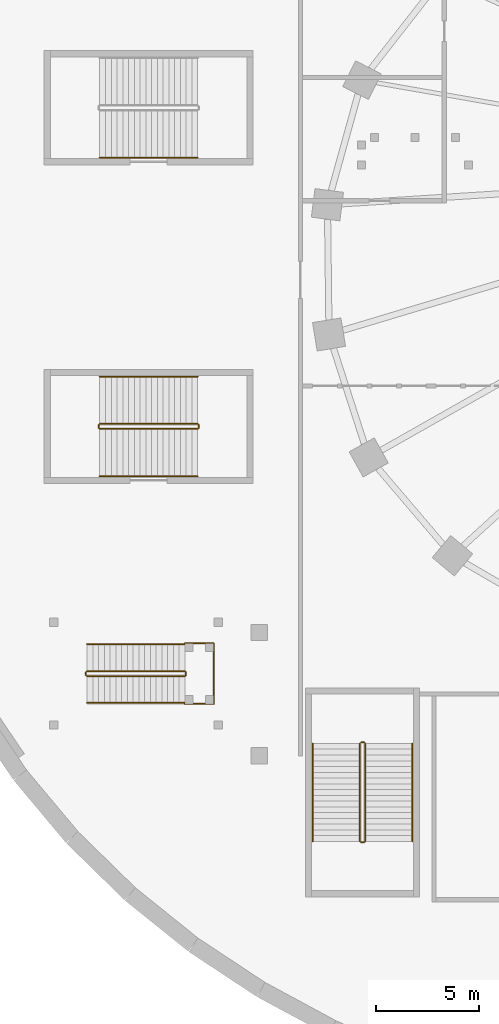
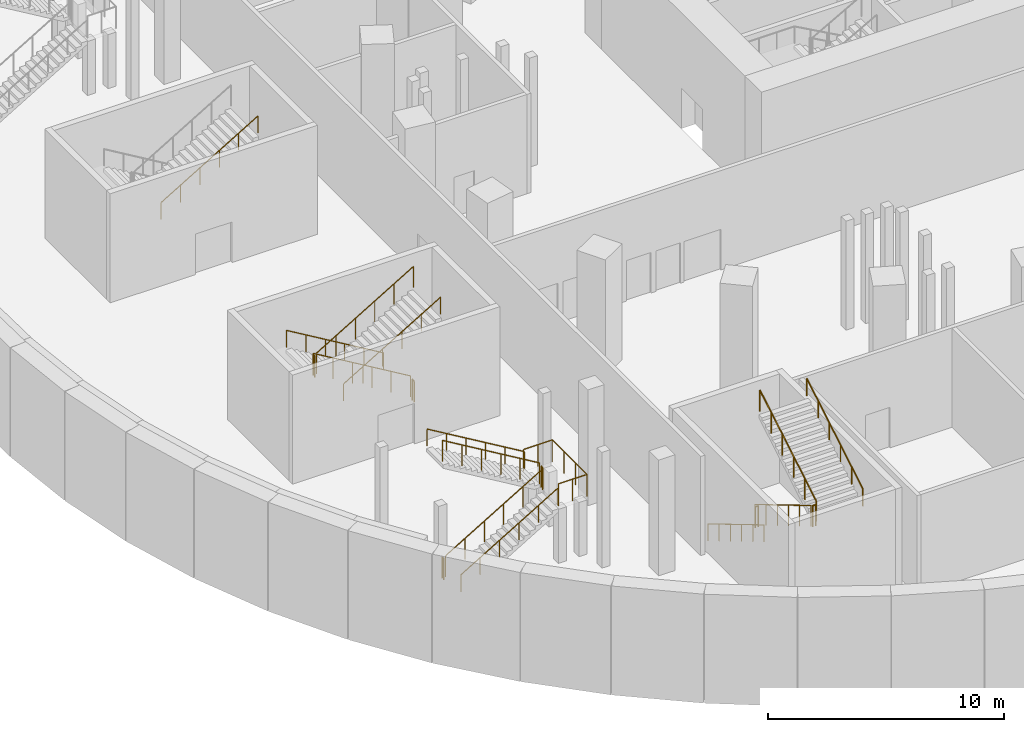
# One storey, part 12 of 19: 20 railings.
"""IFC4 building model written with IfcOpenShell, lengths in metres."""

from ifc_helpers import new_model, si_unit, direction, frame, origin, origin_2d, place, context, subcontext, project, spatial, circle, extrude, material, type_object, element, save


model = new_model("IFC4")

# Units and contexts
model_context = context("Model", 3, precision=1e-05, world=origin(), true_north=direction((0.0, 1.0)))
body_context = subcontext(model_context, "Body", "Model", "MODEL_VIEW")
ifc_project = project(units=[si_unit("LENGTHUNIT", "METRE"), si_unit("AREAUNIT", "SQUARE_METRE"), si_unit("VOLUMEUNIT", "CUBIC_METRE"), si_unit("PLANEANGLEUNIT", "RADIAN"), si_unit("MASSUNIT", "GRAM", prefix="KILO")], contexts=[model_context])

# Site, building, storey
site_placement = place(None, origin())
site = spatial("IfcSite", under=ifc_project, at=site_placement, CompositionType="ELEMENT")
building_placement = place(site_placement, origin())
building = spatial("IfcBuilding", under=site, at=building_placement, Name="Rubra Terraces Tower", CompositionType="ELEMENT")
storey_placement = place(building_placement, frame((0.0, 0.0, -6.0)))
storey = spatial("IfcBuildingStorey", under=building, at=storey_placement, Name="B1", CompositionType="ELEMENT", Elevation=-6.0)

# Railings
ifc_material_1 = material(Name="Stainless steel", Category="steel")
railing_type_1 = type_object("IfcRailingType", Name="Public stair guard 1100", PredefinedType="GUARDRAIL", material=ifc_material_1)
railing_1_placement = place(storey_placement, frame((-33.0, -7.85009765625, 0.166748046875)))
element("IfcRailing", 1, at=railing_1_placement, inside=storey, type_object=railing_type_1, Name="B1 SE4 stair guard 1", PredefinedType="GUARDRAIL", context=body_context, shape_type="SweptSolid", body=[
    extrude(circle(Radius=0.02392578125, at=origin_2d()), frame((0.0, 0.0, 1.076171875), z_axis=(-0.859299802514, 0.0, 0.511472237174), x_axis=(0.0, -1.0, 0.0)), (0.0, 0.0, 1.0), 5.539306640625),
    extrude(circle(Radius=0.02099609375, at=origin_2d()), origin(), (0.0, 0.0, 1.0), 1.052001953125),
    extrude(circle(Radius=0.02099609375, at=origin_2d()), frame((-0.951904296875, 0.0, 0.566650390625)), (0.0, 0.0, 1.0), 1.052001953125),
    extrude(circle(Radius=0.02099609375, at=origin_2d()), frame((-1.904052734375, 0.0, 1.13330078125)), (0.0, 0.0, 1.0), 1.052001953125),
    extrude(circle(Radius=0.02099609375, at=origin_2d()), frame((-2.85595703125, 0.0, 1.699951171875)), (0.0, 0.0, 1.0), 1.052001953125),
    extrude(circle(Radius=0.02099609375, at=origin_2d()), frame((-3.80810546875, 0.0, 2.2666015625)), (0.0, 0.0, 1.0), 1.052001953125),
    extrude(circle(Radius=0.02099609375, at=origin_2d()), frame((-4.760009765625, 0.0, 2.833251953125)), (0.0, 0.0, 1.0), 1.052001953125),
])
railing_2_placement = place(storey_placement, frame((-37.81005859375, -7.89990234375, 3.0)))
element("IfcRailing", 2, at=railing_2_placement, inside=storey, type_object=railing_type_1, Name="B1 SE4 stair guard 2", PredefinedType="GUARDRAIL", context=body_context, shape_type="SweptSolid", body=[
    extrude(circle(Radius=0.02392578125, at=origin_2d()), frame((0.0, 0.0, 1.076171875), z_axis=(0.0, -1.0, 0.0), x_axis=(1.0, 0.0, 0.0)), (0.0, 0.0, 1.0), 0.150146484375),
    extrude(circle(Radius=0.02099609375, at=origin_2d()), origin(), (0.0, 0.0, 1.0), 1.052001953125),
    extrude(circle(Radius=0.02099609375, at=origin_2d()), frame((0.0, -0.150146484375, 0.0)), (0.0, 0.0, 1.0), 1.052001953125),
])
railing_3_placement = place(storey_placement, frame((-37.760009765625, -8.10009765625, 3.166748046875)))
element("IfcRailing", 3, at=railing_3_placement, inside=storey, type_object=railing_type_1, Name="B1 SE4 stair guard 3", PredefinedType="GUARDRAIL", context=body_context, shape_type="SweptSolid", body=[
    extrude(circle(Radius=0.02392578125, at=origin_2d()), frame((0.0, 0.0, 1.076171875), z_axis=(0.859299802514, 0.0, 0.511472237174), x_axis=(0.0, 1.0, 0.0)), (0.0, 0.0, 1.0), 5.539306640625),
    extrude(circle(Radius=0.02099609375, at=origin_2d()), origin(), (0.0, 0.0, 1.0), 1.052001953125),
    extrude(circle(Radius=0.02099609375, at=origin_2d()), frame((0.951904296875, 0.0, 0.566650390625)), (0.0, 0.0, 1.0), 1.052001953125),
    extrude(circle(Radius=0.02099609375, at=origin_2d()), frame((1.904052734375, 0.0, 1.13330078125)), (0.0, 0.0, 1.0), 1.052001953125),
    extrude(circle(Radius=0.02099609375, at=origin_2d()), frame((2.85595703125, 0.0, 1.699951171875)), (0.0, 0.0, 1.0), 1.052001953125),
    extrude(circle(Radius=0.02099609375, at=origin_2d()), frame((3.80810546875, 0.0, 2.2666015625)), (0.0, 0.0, 1.0), 1.052001953125),
    extrude(circle(Radius=0.02099609375, at=origin_2d()), frame((4.760009765625, 0.0, 2.833251953125)), (0.0, 0.0, 1.0), 1.052001953125),
])
railing_4_placement = place(storey_placement, frame((-32.949951171875, -7.89990234375, 0.0)))
element("IfcRailing", 4, at=railing_4_placement, inside=storey, type_object=railing_type_1, Name="B1 SE4 stair guard 4", PredefinedType="GUARDRAIL", context=body_context, shape_type="SweptSolid", body=[
    extrude(circle(Radius=0.02392578125, at=origin_2d()), frame((0.0, 0.0, 1.076171875), z_axis=(0.0, -1.0, 0.0), x_axis=(1.0, 0.0, 0.0)), (0.0, 0.0, 1.0), 0.150146484375),
    extrude(circle(Radius=0.02099609375, at=origin_2d()), origin(), (0.0, 0.0, 1.0), 1.052001953125),
    extrude(circle(Radius=0.02099609375, at=origin_2d()), frame((0.0, -0.150146484375, 0.0)), (0.0, 0.0, 1.0), 1.052001953125),
])
railing_5_placement = place(storey_placement, frame((-25.10009765625, -23.39990234375, 0.166748046875)))
element("IfcRailing", 5, at=railing_5_placement, inside=storey, type_object=railing_type_1, Name="B1 SE8 stair guard 1", PredefinedType="GUARDRAIL", context=body_context, shape_type="SweptSolid", body=[
    extrude(circle(Radius=0.02392578125, at=origin_2d()), frame((0.0, 0.0, 1.076171875), z_axis=(0.0, -0.859299802514, 0.511472237174), x_axis=(1.0, 0.0, 0.0)), (0.0, 0.0, 1.0), 5.539306640625),
    extrude(circle(Radius=0.02099609375, at=origin_2d()), origin(), (0.0, 0.0, 1.0), 1.052001953125),
    extrude(circle(Radius=0.02099609375, at=origin_2d()), frame((0.0, -0.951904296875, 0.566650390625)), (0.0, 0.0, 1.0), 1.052001953125),
    extrude(circle(Radius=0.02099609375, at=origin_2d()), frame((0.0, -1.904052734375, 1.13330078125)), (0.0, 0.0, 1.0), 1.052001953125),
    extrude(circle(Radius=0.02099609375, at=origin_2d()), frame((0.0, -2.85595703125, 1.699951171875)), (0.0, 0.0, 1.0), 1.052001953125),
    extrude(circle(Radius=0.02099609375, at=origin_2d()), frame((0.0, -3.80810546875, 2.2666015625)), (0.0, 0.0, 1.0), 1.052001953125),
    extrude(circle(Radius=0.02099609375, at=origin_2d()), frame((0.0, -4.760009765625, 2.833251953125)), (0.0, 0.0, 1.0), 1.052001953125),
])
railing_6_placement = place(storey_placement, frame((-25.050048828125, -28.2099609375, 3.0)))
element("IfcRailing", 6, at=railing_6_placement, inside=storey, type_object=railing_type_1, Name="B1 SE8 stair guard 2", PredefinedType="GUARDRAIL", context=body_context, shape_type="SweptSolid", body=[
    extrude(circle(Radius=0.02392578125, at=origin_2d()), frame((0.0, 0.0, 1.076171875), z_axis=(1.0, 0.0, 0.0), x_axis=(0.0, 1.0, 0.0)), (0.0, 0.0, 1.0), 0.150146484375),
    extrude(circle(Radius=0.02099609375, at=origin_2d()), origin(), (0.0, 0.0, 1.0), 1.052001953125),
    extrude(circle(Radius=0.02099609375, at=origin_2d()), frame((0.150146484375, 0.0, 0.0)), (0.0, 0.0, 1.0), 1.052001953125),
])
railing_7_placement = place(storey_placement, frame((-24.85009765625, -28.159912109375, 3.166748046875)))
element("IfcRailing", 7, at=railing_7_placement, inside=storey, type_object=railing_type_1, Name="B1 SE8 stair guard 3", PredefinedType="GUARDRAIL", context=body_context, shape_type="SweptSolid", body=[
    extrude(circle(Radius=0.02392578125, at=origin_2d()), frame((0.0, 0.0, 1.076171875), z_axis=(0.0, 0.859299802514, 0.511472237174), x_axis=(-1.0, 0.0, 0.0)), (0.0, 0.0, 1.0), 5.539306640625),
    extrude(circle(Radius=0.02099609375, at=origin_2d()), origin(), (0.0, 0.0, 1.0), 1.052001953125),
    extrude(circle(Radius=0.02099609375, at=origin_2d()), frame((0.0, 0.951904296875, 0.566650390625)), (0.0, 0.0, 1.0), 1.052001953125),
    extrude(circle(Radius=0.02099609375, at=origin_2d()), frame((0.0, 1.904052734375, 1.13330078125)), (0.0, 0.0, 1.0), 1.052001953125),
    extrude(circle(Radius=0.02099609375, at=origin_2d()), frame((0.0, 2.85595703125, 1.699951171875)), (0.0, 0.0, 1.0), 1.052001953125),
    extrude(circle(Radius=0.02099609375, at=origin_2d()), frame((0.0, 3.80810546875, 2.2666015625)), (0.0, 0.0, 1.0), 1.052001953125),
    extrude(circle(Radius=0.02099609375, at=origin_2d()), frame((0.0, 4.760009765625, 2.833251953125)), (0.0, 0.0, 1.0), 1.052001953125),
])
railing_8_placement = place(storey_placement, frame((-25.050048828125, -23.35009765625, 0.0)))
element("IfcRailing", 8, at=railing_8_placement, inside=storey, type_object=railing_type_1, Name="B1 SE8 stair guard 4", PredefinedType="GUARDRAIL", context=body_context, shape_type="SweptSolid", body=[
    extrude(circle(Radius=0.02392578125, at=origin_2d()), frame((0.0, 0.0, 1.076171875), z_axis=(1.0, 0.0, 0.0), x_axis=(0.0, 1.0, 0.0)), (0.0, 0.0, 1.0), 0.150146484375),
    extrude(circle(Radius=0.02099609375, at=origin_2d()), origin(), (0.0, 0.0, 1.0), 1.052001953125),
    extrude(circle(Radius=0.02099609375, at=origin_2d()), frame((0.150146484375, 0.0, 0.0)), (0.0, 0.0, 1.0), 1.052001953125),
])
railing_type_2 = type_object("IfcRailingType", Name="Public stair handrail 900", PredefinedType="HANDRAIL", material=ifc_material_1)
railing_9_placement = place(storey_placement, frame((-37.760009765625, 5.10009765625, 3.166748046875)))
element("IfcRailing", 9, at=railing_9_placement, inside=storey, type_object=railing_type_2, Name="B1 SE3 stair handrail 2", PredefinedType="HANDRAIL", context=body_context, shape_type="SweptSolid", body=[
    extrude(circle(Radius=0.02392578125, at=origin_2d()), frame((0.0, 0.0, 0.8759765625), z_axis=(0.859299802514, 0.0, 0.511472237174), x_axis=(0.0, 1.0, 0.0)), (0.0, 0.0, 1.0), 5.539306640625),
    extrude(circle(Radius=0.02099609375, at=origin_2d()), origin(), (0.0, 0.0, 1.0), 0.851806640625),
    extrude(circle(Radius=0.02099609375, at=origin_2d()), frame((0.951904296875, 0.0, 0.566650390625)), (0.0, 0.0, 1.0), 0.851806640625),
    extrude(circle(Radius=0.02099609375, at=origin_2d()), frame((1.904052734375, 0.0, 1.13330078125)), (0.0, 0.0, 1.0), 0.851806640625),
    extrude(circle(Radius=0.02099609375, at=origin_2d()), frame((2.85595703125, 0.0, 1.699951171875)), (0.0, 0.0, 1.0), 0.851806640625),
    extrude(circle(Radius=0.02099609375, at=origin_2d()), frame((3.80810546875, 0.0, 2.2666015625)), (0.0, 0.0, 1.0), 0.851806640625),
    extrude(circle(Radius=0.02099609375, at=origin_2d()), frame((4.760009765625, 0.0, 2.833251953125)), (0.0, 0.0, 1.0), 0.851806640625),
])
railing_10_placement = place(storey_placement, frame((-33.0, -5.550048828125, 0.166748046875)))
element("IfcRailing", 10, at=railing_10_placement, inside=storey, type_object=railing_type_2, Name="B1 SE4 stair handrail 1", PredefinedType="HANDRAIL", context=body_context, shape_type="SweptSolid", body=[
    extrude(circle(Radius=0.02392578125, at=origin_2d()), frame((0.0, 0.0, 0.8759765625), z_axis=(-0.859299802514, 0.0, 0.511472237174), x_axis=(0.0, -1.0, 0.0)), (0.0, 0.0, 1.0), 5.539306640625),
    extrude(circle(Radius=0.02099609375, at=origin_2d()), origin(), (0.0, 0.0, 1.0), 0.851806640625),
    extrude(circle(Radius=0.02099609375, at=origin_2d()), frame((-0.951904296875, 0.0, 0.566650390625)), (0.0, 0.0, 1.0), 0.851806640625),
    extrude(circle(Radius=0.02099609375, at=origin_2d()), frame((-1.904052734375, 0.0, 1.13330078125)), (0.0, 0.0, 1.0), 0.851806640625),
    extrude(circle(Radius=0.02099609375, at=origin_2d()), frame((-2.85595703125, 0.0, 1.699951171875)), (0.0, 0.0, 1.0), 0.851806640625),
    extrude(circle(Radius=0.02099609375, at=origin_2d()), frame((-3.80810546875, 0.0, 2.2666015625)), (0.0, 0.0, 1.0), 0.851806640625),
    extrude(circle(Radius=0.02099609375, at=origin_2d()), frame((-4.760009765625, 0.0, 2.833251953125)), (0.0, 0.0, 1.0), 0.851806640625),
])
railing_11_placement = place(storey_placement, frame((-37.760009765625, -10.39990234375, 3.166748046875)))
element("IfcRailing", 11, at=railing_11_placement, inside=storey, type_object=railing_type_2, Name="B1 SE4 stair handrail 2", PredefinedType="HANDRAIL", context=body_context, shape_type="SweptSolid", body=[
    extrude(circle(Radius=0.02392578125, at=origin_2d()), frame((0.0, 0.0, 0.8759765625), z_axis=(0.859299802514, 0.0, 0.511472237174), x_axis=(0.0, 1.0, 0.0)), (0.0, 0.0, 1.0), 5.539306640625),
    extrude(circle(Radius=0.02099609375, at=origin_2d()), origin(), (0.0, 0.0, 1.0), 0.851806640625),
    extrude(circle(Radius=0.02099609375, at=origin_2d()), frame((0.951904296875, 0.0, 0.566650390625)), (0.0, 0.0, 1.0), 0.851806640625),
    extrude(circle(Radius=0.02099609375, at=origin_2d()), frame((1.904052734375, 0.0, 1.13330078125)), (0.0, 0.0, 1.0), 0.851806640625),
    extrude(circle(Radius=0.02099609375, at=origin_2d()), frame((2.85595703125, 0.0, 1.699951171875)), (0.0, 0.0, 1.0), 0.851806640625),
    extrude(circle(Radius=0.02099609375, at=origin_2d()), frame((3.80810546875, 0.0, 2.2666015625)), (0.0, 0.0, 1.0), 0.851806640625),
    extrude(circle(Radius=0.02099609375, at=origin_2d()), frame((4.760009765625, 0.0, 2.833251953125)), (0.0, 0.0, 1.0), 0.851806640625),
])
railing_12_placement = place(storey_placement, frame((-27.39990234375, -23.39990234375, 0.166748046875)))
element("IfcRailing", 12, at=railing_12_placement, inside=storey, type_object=railing_type_2, Name="B1 SE8 stair handrail 1", PredefinedType="HANDRAIL", context=body_context, shape_type="SweptSolid", body=[
    extrude(circle(Radius=0.02392578125, at=origin_2d()), frame((0.0, 0.0, 0.8759765625), z_axis=(0.0, -0.859299802514, 0.511472237174), x_axis=(1.0, 0.0, 0.0)), (0.0, 0.0, 1.0), 5.539306640625),
    extrude(circle(Radius=0.02099609375, at=origin_2d()), origin(), (0.0, 0.0, 1.0), 0.851806640625),
    extrude(circle(Radius=0.02099609375, at=origin_2d()), frame((0.0, -0.951904296875, 0.566650390625)), (0.0, 0.0, 1.0), 0.851806640625),
    extrude(circle(Radius=0.02099609375, at=origin_2d()), frame((0.0, -1.904052734375, 1.13330078125)), (0.0, 0.0, 1.0), 0.851806640625),
    extrude(circle(Radius=0.02099609375, at=origin_2d()), frame((0.0, -2.85595703125, 1.699951171875)), (0.0, 0.0, 1.0), 0.851806640625),
    extrude(circle(Radius=0.02099609375, at=origin_2d()), frame((0.0, -3.80810546875, 2.2666015625)), (0.0, 0.0, 1.0), 0.851806640625),
    extrude(circle(Radius=0.02099609375, at=origin_2d()), frame((0.0, -4.760009765625, 2.833251953125)), (0.0, 0.0, 1.0), 0.851806640625),
])
railing_13_placement = place(storey_placement, frame((-22.550048828125, -28.159912109375, 3.166748046875)))
element("IfcRailing", 13, at=railing_13_placement, inside=storey, type_object=railing_type_2, Name="B1 SE8 stair handrail 2", PredefinedType="HANDRAIL", context=body_context, shape_type="SweptSolid", body=[
    extrude(circle(Radius=0.02392578125, at=origin_2d()), frame((0.0, 0.0, 0.8759765625), z_axis=(0.0, 0.859299802514, 0.511472237174), x_axis=(-1.0, 0.0, 0.0)), (0.0, 0.0, 1.0), 5.539306640625),
    extrude(circle(Radius=0.02099609375, at=origin_2d()), origin(), (0.0, 0.0, 1.0), 0.851806640625),
    extrude(circle(Radius=0.02099609375, at=origin_2d()), frame((0.0, 0.951904296875, 0.566650390625)), (0.0, 0.0, 1.0), 0.851806640625),
    extrude(circle(Radius=0.02099609375, at=origin_2d()), frame((0.0, 1.904052734375, 1.13330078125)), (0.0, 0.0, 1.0), 0.851806640625),
    extrude(circle(Radius=0.02099609375, at=origin_2d()), frame((0.0, 2.85595703125, 1.699951171875)), (0.0, 0.0, 1.0), 0.851806640625),
    extrude(circle(Radius=0.02099609375, at=origin_2d()), frame((0.0, 3.80810546875, 2.2666015625)), (0.0, 0.0, 1.0), 0.851806640625),
    extrude(circle(Radius=0.02099609375, at=origin_2d()), frame((0.0, 4.760009765625, 2.833251953125)), (0.0, 0.0, 1.0), 0.851806640625),
])
ifc_material_2 = material(Name="Steel, powder-coated dark grey", Category="steel")
railing_type_3 = type_object("IfcRailingType", Name="Station stair guard 1100", PredefinedType="GUARDRAIL", material=ifc_material_2)
railing_14_placement = place(storey_placement, frame((-38.3798828125, -20.125, 0.166748046875)))
element("IfcRailing", 14, at=railing_14_placement, inside=storey, type_object=railing_type_3, Name="B1 SP3-S stair guard 1", PredefinedType="GUARDRAIL", context=body_context, shape_type="SweptSolid", body=[
    extrude(circle(Radius=0.02392578125, at=origin_2d()), frame((0.0, 0.0, 1.076171875), z_axis=(0.859288272078, 0.0, 0.511491608405), x_axis=(0.0, 1.0, 0.0)), (0.0, 0.0, 1.0), 5.539306640625),
    extrude(circle(Radius=0.02099609375, at=origin_2d()), origin(), (0.0, 0.0, 1.0), 1.052001953125),
    extrude(circle(Radius=0.02099609375, at=origin_2d()), frame((0.951904296875, 0.0, 0.566650390625)), (0.0, 0.0, 1.0), 1.052001953125),
    extrude(circle(Radius=0.02099609375, at=origin_2d()), frame((1.90380859375, 0.0, 1.13330078125)), (0.0, 0.0, 1.0), 1.052001953125),
    extrude(circle(Radius=0.02099609375, at=origin_2d()), frame((2.85595703125, 0.0, 1.699951171875)), (0.0, 0.0, 1.0), 1.052001953125),
    extrude(circle(Radius=0.02099609375, at=origin_2d()), frame((3.807861328125, 0.0, 2.2666015625)), (0.0, 0.0, 1.0), 1.052001953125),
    extrude(circle(Radius=0.02099609375, at=origin_2d()), frame((4.759765625, 0.0, 2.833251953125)), (0.0, 0.0, 1.0), 1.052001953125),
])
railing_15_placement = place(storey_placement, frame((-33.570068359375, -20.074951171875, 3.0)))
element("IfcRailing", 15, at=railing_15_placement, inside=storey, type_object=railing_type_3, Name="B1 SP3-S stair guard 2", PredefinedType="GUARDRAIL", context=body_context, shape_type="SweptSolid", body=[
    extrude(circle(Radius=0.02392578125, at=origin_2d()), frame((0.0, 0.0, 1.076171875), z_axis=(0.0, 1.0, 0.0), x_axis=(-1.0, 0.0, 0.0)), (0.0, 0.0, 1.0), 0.14990234375),
    extrude(circle(Radius=0.02099609375, at=origin_2d()), origin(), (0.0, 0.0, 1.0), 1.052001953125),
    extrude(circle(Radius=0.02099609375, at=origin_2d()), frame((0.0, 0.14990234375, 0.0)), (0.0, 0.0, 1.0), 1.052001953125),
])
railing_16_placement = place(storey_placement, frame((-33.6201171875, -19.875, 3.166748046875)))
element("IfcRailing", 16, at=railing_16_placement, inside=storey, type_object=railing_type_3, Name="B1 SP3-S stair guard 3", PredefinedType="GUARDRAIL", context=body_context, shape_type="SweptSolid", body=[
    extrude(circle(Radius=0.02392578125, at=origin_2d()), frame((0.0, 0.0, 1.076171875), z_axis=(-0.859288272078, 0.0, 0.511491608405), x_axis=(0.0, -1.0, 0.0)), (0.0, 0.0, 1.0), 5.539306640625),
    extrude(circle(Radius=0.02099609375, at=origin_2d()), origin(), (0.0, 0.0, 1.0), 1.052001953125),
    extrude(circle(Radius=0.02099609375, at=origin_2d()), frame((-0.951904296875, 0.0, 0.566650390625)), (0.0, 0.0, 1.0), 1.052001953125),
    extrude(circle(Radius=0.02099609375, at=origin_2d()), frame((-1.90380859375, 0.0, 1.13330078125)), (0.0, 0.0, 1.0), 1.052001953125),
    extrude(circle(Radius=0.02099609375, at=origin_2d()), frame((-2.85595703125, 0.0, 1.699951171875)), (0.0, 0.0, 1.0), 1.052001953125),
    extrude(circle(Radius=0.02099609375, at=origin_2d()), frame((-3.807861328125, 0.0, 2.2666015625)), (0.0, 0.0, 1.0), 1.052001953125),
    extrude(circle(Radius=0.02099609375, at=origin_2d()), frame((-4.759765625, 0.0, 2.833251953125)), (0.0, 0.0, 1.0), 1.052001953125),
])
railing_17_placement = place(storey_placement, frame((-38.429931640625, -20.074951171875, 0.0)))
element("IfcRailing", 17, at=railing_17_placement, inside=storey, type_object=railing_type_3, Name="B1 SP3-S stair guard 4", PredefinedType="GUARDRAIL", context=body_context, shape_type="SweptSolid", body=[
    extrude(circle(Radius=0.02392578125, at=origin_2d()), frame((0.0, 0.0, 1.076171875), z_axis=(0.0, 1.0, 0.0), x_axis=(-1.0, 0.0, 0.0)), (0.0, 0.0, 1.0), 0.14990234375),
    extrude(circle(Radius=0.02099609375, at=origin_2d()), origin(), (0.0, 0.0, 1.0), 1.052001953125),
    extrude(circle(Radius=0.02099609375, at=origin_2d()), frame((0.0, 0.14990234375, 0.0)), (0.0, 0.0, 1.0), 1.052001953125),
])
railing_18_placement = place(storey_placement, frame((-33.6201171875, -21.47509765625, 3.0)))
element("IfcRailing", 18, at=railing_18_placement, inside=storey, type_object=railing_type_3, Name="Pavilion SP3 stair landing guard", PredefinedType="GUARDRAIL", context=body_context, shape_type="SweptSolid", body=[
    extrude(circle(Radius=0.02392578125, at=origin_2d()), frame((0.0, 0.0, 1.1259765625), z_axis=(1.0, 0.0, 0.0), x_axis=(0.0, 1.0, 0.0)), (0.0, 0.0, 1.0), 1.400146484375),
    extrude(circle(Radius=0.02392578125, at=origin_2d()), frame((1.400146484375, 0.0, 1.1259765625), z_axis=(0.0, 1.0, 0.0), x_axis=(-1.0, 0.0, 0.0)), (0.0, 0.0, 1.0), 2.9501953125),
    extrude(circle(Radius=0.02392578125, at=origin_2d()), frame((1.400146484375, 2.9501953125, 1.1259765625), z_axis=(-1.0, 0.0, 0.0), x_axis=(0.0, -1.0, 0.0)), (0.0, 0.0, 1.0), 1.400146484375),
    extrude(circle(Radius=0.02099609375, at=origin_2d()), origin(), (0.0, 0.0, 1.0), 1.101806640625),
    extrude(circle(Radius=0.02099609375, at=origin_2d()), frame((0.7001953125, 0.0, 0.0)), (0.0, 0.0, 1.0), 1.101806640625),
    extrude(circle(Radius=0.02099609375, at=origin_2d()), frame((1.400146484375, 0.0, 0.0)), (0.0, 0.0, 1.0), 1.101806640625),
    extrude(circle(Radius=0.02099609375, at=origin_2d()), frame((1.400146484375, 0.9833984375, 0.0)), (0.0, 0.0, 1.0), 1.101806640625),
    extrude(circle(Radius=0.02099609375, at=origin_2d()), frame((1.400146484375, 1.966796875, 0.0)), (0.0, 0.0, 1.0), 1.101806640625),
    extrude(circle(Radius=0.02099609375, at=origin_2d()), frame((1.400146484375, 2.9501953125, 0.0)), (0.0, 0.0, 1.0), 1.101806640625),
    extrude(circle(Radius=0.02099609375, at=origin_2d()), frame((0.7001953125, 2.9501953125, 0.0)), (0.0, 0.0, 1.0), 1.101806640625),
    extrude(circle(Radius=0.02099609375, at=origin_2d()), frame((0.0, 2.9501953125, 0.0)), (0.0, 0.0, 1.0), 1.101806640625),
])
railing_type_4 = type_object("IfcRailingType", Name="Station stair handrail 900", PredefinedType="HANDRAIL", material=ifc_material_2)
railing_19_placement = place(storey_placement, frame((-38.3798828125, -21.425048828125, 0.166748046875)))
element("IfcRailing", 19, at=railing_19_placement, inside=storey, type_object=railing_type_4, Name="B1 SP3-S stair handrail 1", PredefinedType="HANDRAIL", context=body_context, shape_type="SweptSolid", body=[
    extrude(circle(Radius=0.02392578125, at=origin_2d()), frame((0.0, 0.0, 0.8759765625), z_axis=(0.859288272078, 0.0, 0.511491608405), x_axis=(0.0, 1.0, 0.0)), (0.0, 0.0, 1.0), 5.539306640625),
    extrude(circle(Radius=0.02099609375, at=origin_2d()), origin(), (0.0, 0.0, 1.0), 0.851806640625),
    extrude(circle(Radius=0.02099609375, at=origin_2d()), frame((0.951904296875, 0.0, 0.566650390625)), (0.0, 0.0, 1.0), 0.851806640625),
    extrude(circle(Radius=0.02099609375, at=origin_2d()), frame((1.90380859375, 0.0, 1.13330078125)), (0.0, 0.0, 1.0), 0.851806640625),
    extrude(circle(Radius=0.02099609375, at=origin_2d()), frame((2.85595703125, 0.0, 1.699951171875)), (0.0, 0.0, 1.0), 0.851806640625),
    extrude(circle(Radius=0.02099609375, at=origin_2d()), frame((3.807861328125, 0.0, 2.2666015625)), (0.0, 0.0, 1.0), 0.851806640625),
    extrude(circle(Radius=0.02099609375, at=origin_2d()), frame((4.759765625, 0.0, 2.833251953125)), (0.0, 0.0, 1.0), 0.851806640625),
])
railing_20_placement = place(storey_placement, frame((-33.6201171875, -18.574951171875, 3.166748046875)))
element("IfcRailing", 20, at=railing_20_placement, inside=storey, type_object=railing_type_4, Name="B1 SP3-S stair handrail 2", PredefinedType="HANDRAIL", context=body_context, shape_type="SweptSolid", body=[
    extrude(circle(Radius=0.02392578125, at=origin_2d()), frame((0.0, 0.0, 0.8759765625), z_axis=(-0.859288272078, 0.0, 0.511491608405), x_axis=(0.0, -1.0, 0.0)), (0.0, 0.0, 1.0), 5.539306640625),
    extrude(circle(Radius=0.02099609375, at=origin_2d()), origin(), (0.0, 0.0, 1.0), 0.851806640625),
    extrude(circle(Radius=0.02099609375, at=origin_2d()), frame((-0.951904296875, 0.0, 0.566650390625)), (0.0, 0.0, 1.0), 0.851806640625),
    extrude(circle(Radius=0.02099609375, at=origin_2d()), frame((-1.90380859375, 0.0, 1.13330078125)), (0.0, 0.0, 1.0), 0.851806640625),
    extrude(circle(Radius=0.02099609375, at=origin_2d()), frame((-2.85595703125, 0.0, 1.699951171875)), (0.0, 0.0, 1.0), 0.851806640625),
    extrude(circle(Radius=0.02099609375, at=origin_2d()), frame((-3.807861328125, 0.0, 2.2666015625)), (0.0, 0.0, 1.0), 0.851806640625),
    extrude(circle(Radius=0.02099609375, at=origin_2d()), frame((-4.759765625, 0.0, 2.833251953125)), (0.0, 0.0, 1.0), 0.851806640625),
])

save(model, "model.ifc")
